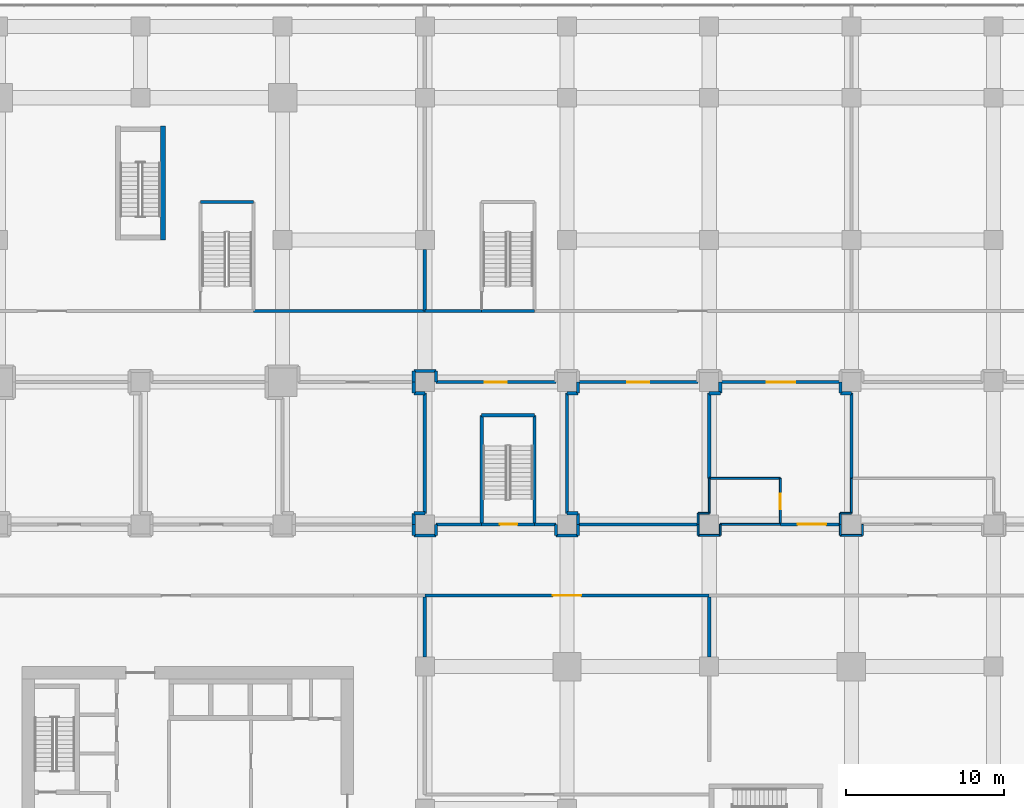
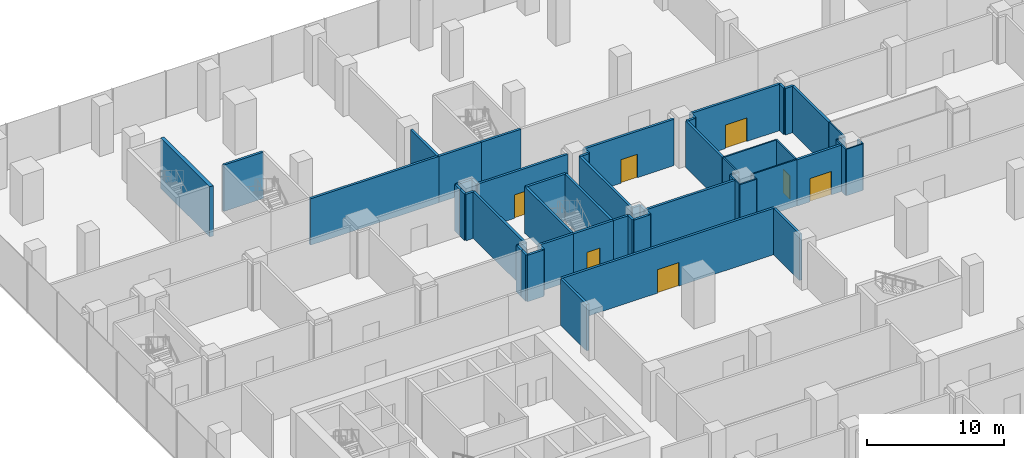
# One storey, part 32 of 43: 60 walls, 7 doors, 7 openings.
"""IFC4 building model written with IfcOpenShell, lengths in metres."""

from ifc_helpers import new_model, si_unit, direction, frame, frame_2d, origin, place, context, subcontext, project, spatial, rectangle, extrude, material, layer, layer_set, type_object, element, fill, save


model = new_model("IFC4")

# Units and contexts
model_context = context("Model", 3, precision=1e-05, world=origin(), true_north=direction((0.0, 1.0)))
body_context = subcontext(model_context, "Body", "Model", "MODEL_VIEW")
ifc_project = project(units=[si_unit("LENGTHUNIT", "METRE"), si_unit("AREAUNIT", "SQUARE_METRE"), si_unit("VOLUMEUNIT", "CUBIC_METRE"), si_unit("PLANEANGLEUNIT", "RADIAN"), si_unit("MASSUNIT", "GRAM", prefix="KILO")], contexts=[model_context])

# Site, building, storey
site_placement = place(None, origin())
site = spatial("IfcSite", under=ifc_project, at=site_placement, CompositionType="ELEMENT")
building_placement = place(site_placement, origin())
building = spatial("IfcBuilding", under=site, at=building_placement, Name="Plateau Cross Towers", CompositionType="ELEMENT")
storey_placement = place(building_placement, frame((0.0, 0.0, 17.300048828125)))
storey = spatial("IfcBuildingStorey", under=building, at=storey_placement, Name="L03", CompositionType="ELEMENT", Elevation=17.300048828125)

# Wall
ifc_material_1 = material(Name="Gypsum board on steel studs", Category="steel")
ifc_layer_1 = layer(ifc_material_1, 0.199951171875)
ifc_layer_set_1 = layer_set([ifc_layer_1], Name="Gypsum board on steel studs")
wall_type_1 = type_object("IfcWallType", Name="Podium partition 200", PredefinedType="PARTITIONING", material=ifc_layer_set_1)
wall_1_placement = place(storey_placement, frame((27.0, 44.39990234375, 0.0), z_axis=(0.0, 0.0, 1.0), x_axis=(0.0, -1.0, 0.0)))
element("IfcWall", 1, at=wall_1_placement, inside=storey, type_object=wall_type_1, Name="Partition wall", PredefinedType="PARTITIONING", context=body_context, shape_type="SweptSolid", body=[
    extrude(rectangle(XDim=3.89990234375, YDim=0.199951171875, at=frame_2d((1.949951171875, 0.0))), origin(), (0.0, 0.0, 1.0), 4.14990234375),
])

# Wall, opening, door
wall_2_placement = place(storey_placement, frame((45.0, 22.5, 0.0), z_axis=(0.0, 0.0, 1.0), x_axis=(-1.0, 0.0, 0.0)))
wall_2 = element("IfcWall", 2, at=wall_2_placement, inside=storey, type_object=wall_type_1, Name="Partition wall", PredefinedType="PARTITIONING", context=body_context, shape_type="SweptSolid", body=[
    extrude(rectangle(XDim=18.0, YDim=0.199951171875, at=frame_2d((9.0, 0.0))), origin(), (0.0, 0.0, 1.0), 4.14990234375),
])
opening_1_placement = place(wall_2_placement, frame((8.10009765625, 0.0, 0.0)))
opening_1 = element("IfcOpeningElement", 3, at=opening_1_placement, cuts=wall_2, Name="Opening 03-42", PredefinedType="OPENING", context=body_context, shape_type="SweptSolid", body=[
    extrude(rectangle(XDim=1.800048828125, YDim=2.10009765625, at=frame_2d((0.89990234375, 1.050048828125))), frame((0.0, 0.10986328125, 0.0), z_axis=(0.0, -1.0, 0.0), x_axis=(1.0, 0.0, 0.0)), (0.0, 0.0, 1.0), 0.219970703125),
])
ifc_material_2 = material(Name="Aluminium frame, toughened glass", Category="aluminium")
door_type_1 = type_object("IfcDoorType", Name="Podium door pair 1800", OperationType="NOTDEFINED", PredefinedType="DOOR", material=ifc_material_2)
door_1_placement = place(opening_1_placement, origin())
door_1 = element("IfcDoor", 4, at=door_1_placement, inside=storey, type_object=door_type_1, Name="Door 03-42", OperationType="DOUBLE_DOOR_SINGLE_SWING", OverallHeight=2.10009765625, OverallWidth=1.800048828125, PredefinedType="DOOR", context=body_context, shape_type="SweptSolid", body=[
    extrude(rectangle(XDim=1.800048828125, YDim=2.10009765625, at=frame_2d((0.89990234375, 1.050048828125))), frame((0.0, 0.02490234375, 0.0), z_axis=(0.0, -1.0, 0.0), x_axis=(1.0, 0.0, 0.0)), (0.0, 0.0, 1.0), 0.050048828125),
])
fill(opening_1, door_1)

wall_3_placement = place(storey_placement, frame((35.300048828125, 36.0, 0.0), z_axis=(0.0, 0.0, 1.0), x_axis=(-1.0, 0.0, 0.0)))
wall_3 = element("IfcWall", 5, at=wall_3_placement, inside=storey, type_object=wall_type_1, Name="Partition wall", PredefinedType="PARTITIONING", context=body_context, shape_type="SweptSolid", body=[
    extrude(rectangle(XDim=7.60009765625, YDim=0.199951171875, at=frame_2d((3.800048828125, 0.0))), origin(), (0.0, 0.0, 1.0), 4.14990234375),
])
opening_2_placement = place(wall_3_placement, frame((3.10009765625, 0.0, 0.0)))
opening_2 = element("IfcOpeningElement", 6, at=opening_2_placement, cuts=wall_3, Name="Opening 03-23", PredefinedType="OPENING", context=body_context, shape_type="SweptSolid", body=[
    extrude(rectangle(XDim=1.39990234375, YDim=2.10009765625, at=frame_2d((0.699951171875, 1.050048828125))), frame((0.0, 0.10986328125, 0.0), z_axis=(0.0, -1.0, 0.0), x_axis=(1.0, 0.0, 0.0)), (0.0, 0.0, 1.0), 0.219970703125),
])
ifc_material_3 = material(Name="Timber, hospital grade leaf", Category="wood")
door_type_2 = type_object("IfcDoorType", Name="Clinic bed access door 1400x2100", OperationType="NOTDEFINED", PredefinedType="DOOR", material=ifc_material_3)
door_2_placement = place(opening_2_placement, origin())
door_2 = element("IfcDoor", 7, at=door_2_placement, inside=storey, type_object=door_type_2, Name="Door 03-23", OperationType="SINGLE_SWING_LEFT", OverallHeight=2.10009765625, OverallWidth=1.39990234375, PredefinedType="DOOR", context=body_context, shape_type="SweptSolid", body=[
    extrude(rectangle(XDim=1.39990234375, YDim=2.10009765625, at=frame_2d((0.699951171875, 1.050048828125))), frame((0.0, 0.02490234375, 0.0), z_axis=(0.0, -1.0, 0.0), x_axis=(1.0, 0.0, 0.0)), (0.0, 0.0, 1.0), 0.050048828125),
])
fill(opening_2, door_2)

# Walls
wall_4_placement = place(storey_placement, frame((27.699951171875, 36.0, 0.0), z_axis=(0.0, 0.0, 1.0), x_axis=(0.0, 1.0, 0.0)))
element("IfcWall", 8, at=wall_4_placement, inside=storey, type_object=wall_type_1, Name="Partition wall", PredefinedType="PARTITIONING", context=body_context, shape_type="SweptSolid", body=[
    extrude(rectangle(XDim=0.699951171875, YDim=0.199951171875, at=frame_2d((0.35009765625, 0.0))), origin(), (0.0, 0.0, 1.0), 4.14990234375),
])
wall_5_placement = place(storey_placement, frame((27.699951171875, 36.699951171875, 0.0), z_axis=(0.0, 0.0, 1.0), x_axis=(-1.0, 0.0, 0.0)))
element("IfcWall", 9, at=wall_5_placement, inside=storey, type_object=wall_type_1, Name="Partition wall", PredefinedType="PARTITIONING", context=body_context, shape_type="SweptSolid", body=[
    extrude(rectangle(XDim=1.39990234375, YDim=0.199951171875, at=frame_2d((0.699951171875, 0.0))), origin(), (0.0, 0.0, 1.0), 4.14990234375),
])
wall_6_placement = place(storey_placement, frame((26.300048828125, 36.699951171875, 0.0), z_axis=(0.0, 0.0, 1.0), x_axis=(0.0, -1.0, 0.0)))
element("IfcWall", 10, at=wall_6_placement, inside=storey, type_object=wall_type_1, Name="Partition wall", PredefinedType="PARTITIONING", context=body_context, shape_type="SweptSolid", body=[
    extrude(rectangle(XDim=0.699951171875, YDim=0.199951171875, at=frame_2d((0.35009765625, 0.0))), origin(), (0.0, 0.0, 1.0), 4.14990234375),
])
wall_7_placement = place(storey_placement, frame((27.0, 22.39990234375, 0.0), z_axis=(0.0, 0.0, 1.0), x_axis=(0.0, -1.0, 0.0)))
element("IfcWall", 11, at=wall_7_placement, inside=storey, type_object=wall_type_1, Name="Partition wall", PredefinedType="PARTITIONING", context=body_context, shape_type="SweptSolid", body=[
    extrude(rectangle(XDim=3.7998046875, YDim=0.199951171875, at=frame_2d((1.89990234375, 0.0))), origin(), (0.0, 0.0, 1.0), 4.14990234375),
])
wall_8_placement = place(storey_placement, frame((16.14990234375, 40.5, 0.0), z_axis=(0.0, 0.0, 1.0), x_axis=(1.0, 0.0, 0.0)))
element("IfcWall", 12, at=wall_8_placement, inside=storey, type_object=wall_type_1, Name="Partition wall", PredefinedType="PARTITIONING", context=body_context, shape_type="SweptSolid", body=[
    extrude(rectangle(XDim=10.85009765625, YDim=0.199951171875, at=frame_2d((5.425048828125, 0.0))), origin(), (0.0, 0.0, 1.0), 4.14990234375),
])
wall_9_placement = place(storey_placement, frame((45.0, 22.39990234375, 0.0), z_axis=(0.0, 0.0, 1.0), x_axis=(0.0, -1.0, 0.0)))
element("IfcWall", 13, at=wall_9_placement, inside=storey, type_object=wall_type_1, Name="Partition wall", PredefinedType="PARTITIONING", context=body_context, shape_type="SweptSolid", body=[
    extrude(rectangle(XDim=3.7998046875, YDim=0.199951171875, at=frame_2d((1.89990234375, 0.0))), origin(), (0.0, 0.0, 1.0), 4.14990234375),
])

# Wall, opening, door
wall_10_placement = place(storey_placement, frame((44.300048828125, 36.0, 0.0), z_axis=(0.0, 0.0, 1.0), x_axis=(-1.0, 0.0, 0.0)))
wall_10 = element("IfcWall", 14, at=wall_10_placement, inside=storey, type_object=wall_type_1, Name="Partition wall", PredefinedType="PARTITIONING", context=body_context, shape_type="SweptSolid", body=[
    extrude(rectangle(XDim=7.60009765625, YDim=0.199951171875, at=frame_2d((3.800048828125, 0.0))), origin(), (0.0, 0.0, 1.0), 4.14990234375),
])
opening_3_placement = place(wall_10_placement, frame((3.10009765625, 0.0, 0.0)))
opening_3 = element("IfcOpeningElement", 15, at=opening_3_placement, cuts=wall_10, Name="Opening 03-24", PredefinedType="OPENING", context=body_context, shape_type="SweptSolid", body=[
    extrude(rectangle(XDim=1.39990234375, YDim=2.10009765625, at=frame_2d((0.699951171875, 1.050048828125))), frame((0.0, 0.10986328125, 0.0), z_axis=(0.0, -1.0, 0.0), x_axis=(1.0, 0.0, 0.0)), (0.0, 0.0, 1.0), 0.219970703125),
])
door_3_placement = place(opening_3_placement, origin())
door_3 = element("IfcDoor", 16, at=door_3_placement, inside=storey, type_object=door_type_2, Name="Door 03-24", OperationType="SINGLE_SWING_LEFT", OverallHeight=2.10009765625, OverallWidth=1.39990234375, PredefinedType="DOOR", context=body_context, shape_type="SweptSolid", body=[
    extrude(rectangle(XDim=1.39990234375, YDim=2.10009765625, at=frame_2d((0.699951171875, 1.050048828125))), frame((0.0, 0.02490234375, 0.0), z_axis=(0.0, -1.0, 0.0), x_axis=(1.0, 0.0, 0.0)), (0.0, 0.0, 1.0), 0.050048828125),
])
fill(opening_3, door_3)

# Walls
for number, where, z_axis, x_axis, name in (
    (17, (26.300048828125, 36.0, 0.0), (0.0, 0.0, 1.0), (0.0, -1.0, 0.0), "Partition wall"),
    (18, (26.300048828125, 35.300048828125, 0.0), (0.0, 0.0, 1.0), (1.0, 0.0, 0.0), "Partition wall"),
):
    element("IfcWall", number, at=place(storey_placement, frame(where, z_axis=z_axis, x_axis=x_axis)), inside=storey, type_object=wall_type_1, Name=name, PredefinedType="PARTITIONING", context=body_context, shape_type="SweptSolid", body=[
        extrude(rectangle(XDim=0.699951171875, YDim=0.199951171875, at=frame_2d((0.35009765625, 0.0))), origin(), (0.0, 0.0, 1.0), 4.14990234375),
    ])
wall_11_placement = place(storey_placement, frame((27.0, 35.300048828125, 0.0), z_axis=(0.0, 0.0, 1.0), x_axis=(0.0, -1.0, 0.0)))
element("IfcWall", 19, at=wall_11_placement, inside=storey, type_object=wall_type_1, Name="Partition wall", PredefinedType="PARTITIONING", context=body_context, shape_type="SweptSolid", body=[
    extrude(rectangle(XDim=7.60009765625, YDim=0.199951171875, at=frame_2d((3.800048828125, 0.0))), origin(), (0.0, 0.0, 1.0), 4.14990234375),
])
for number, where, z_axis, x_axis, name in (
    (20, (27.0, 27.699951171875, 0.0), (0.0, 0.0, 1.0), (-1.0, 0.0, 0.0), "Partition wall"),
    (21, (26.300048828125, 27.699951171875, 0.0), (0.0, 0.0, 1.0), (0.0, -1.0, 0.0), "Partition wall"),
    (22, (36.699951171875, 36.0, 0.0), (0.0, 0.0, 1.0), (0.0, -1.0, 0.0), "Partition wall"),
    (23, (36.699951171875, 35.300048828125, 0.0), (0.0, 0.0, 1.0), (-1.0, 0.0, 0.0), "Partition wall"),
):
    element("IfcWall", number, at=place(storey_placement, frame(where, z_axis=z_axis, x_axis=x_axis)), inside=storey, type_object=wall_type_1, Name=name, PredefinedType="PARTITIONING", context=body_context, shape_type="SweptSolid", body=[
        extrude(rectangle(XDim=0.699951171875, YDim=0.199951171875, at=frame_2d((0.35009765625, 0.0))), origin(), (0.0, 0.0, 1.0), 4.14990234375),
    ])
wall_12_placement = place(storey_placement, frame((36.0, 35.300048828125, 0.0), z_axis=(0.0, 0.0, 1.0), x_axis=(0.0, -1.0, 0.0)))
element("IfcWall", 24, at=wall_12_placement, inside=storey, type_object=wall_type_1, Name="Partition wall", PredefinedType="PARTITIONING", context=body_context, shape_type="SweptSolid", body=[
    extrude(rectangle(XDim=7.60009765625, YDim=0.199951171875, at=frame_2d((3.800048828125, 0.0))), origin(), (0.0, 0.0, 1.0), 4.14990234375),
])
for number, where, z_axis, x_axis, name in (
    (25, (36.0, 27.699951171875, 0.0), (0.0, 0.0, 1.0), (1.0, 0.0, 0.0), "Partition wall"),
    (26, (36.699951171875, 27.699951171875, 0.0), (0.0, 0.0, 1.0), (0.0, -1.0, 0.0), "Partition wall"),
):
    element("IfcWall", number, at=place(storey_placement, frame(where, z_axis=z_axis, x_axis=x_axis)), inside=storey, type_object=wall_type_1, Name=name, PredefinedType="PARTITIONING", context=body_context, shape_type="SweptSolid", body=[
        extrude(rectangle(XDim=0.699951171875, YDim=0.199951171875, at=frame_2d((0.35009765625, 0.0))), origin(), (0.0, 0.0, 1.0), 4.14990234375),
    ])

# Wall, opening, door
wall_13_placement = place(storey_placement, frame((53.300048828125, 36.0, 0.0), z_axis=(0.0, 0.0, 1.0), x_axis=(-1.0, 0.0, 0.0)))
wall_13 = element("IfcWall", 27, at=wall_13_placement, inside=storey, type_object=wall_type_1, Name="Partition wall", PredefinedType="PARTITIONING", context=body_context, shape_type="SweptSolid", body=[
    extrude(rectangle(XDim=7.60009765625, YDim=0.199951171875, at=frame_2d((3.800048828125, 0.0))), origin(), (0.0, 0.0, 1.0), 4.14990234375),
])
opening_4_placement = place(wall_13_placement, frame((2.85009765625, 0.0, 0.0)))
opening_4 = element("IfcOpeningElement", 28, at=opening_4_placement, cuts=wall_13, Name="Opening 03-45", PredefinedType="OPENING", context=body_context, shape_type="SweptSolid", body=[
    extrude(rectangle(XDim=1.800048828125, YDim=2.10009765625, at=frame_2d((0.89990234375, 1.050048828125))), frame((0.0, 0.10986328125, 0.0), z_axis=(0.0, -1.0, 0.0), x_axis=(1.0, 0.0, 0.0)), (0.0, 0.0, 1.0), 0.219970703125),
])
door_4_placement = place(opening_4_placement, origin())
door_4 = element("IfcDoor", 29, at=door_4_placement, inside=storey, type_object=door_type_1, Name="Door 03-45", OperationType="DOUBLE_DOOR_SINGLE_SWING", OverallHeight=2.10009765625, OverallWidth=1.800048828125, PredefinedType="DOOR", context=body_context, shape_type="SweptSolid", body=[
    extrude(rectangle(XDim=1.800048828125, YDim=2.10009765625, at=frame_2d((0.89990234375, 1.050048828125))), frame((0.0, 0.02490234375, 0.0), z_axis=(0.0, -1.0, 0.0), x_axis=(1.0, 0.0, 0.0)), (0.0, 0.0, 1.0), 0.050048828125),
])
fill(opening_4, door_4)

# Walls
wall_14_placement = place(storey_placement, frame((36.699951171875, 27.0, 0.0), z_axis=(0.0, 0.0, 1.0), x_axis=(1.0, 0.0, 0.0)))
element("IfcWall", 30, at=wall_14_placement, inside=storey, type_object=wall_type_1, Name="Partition wall", PredefinedType="PARTITIONING", context=body_context, shape_type="SweptSolid", body=[
    extrude(rectangle(XDim=7.60009765625, YDim=0.199951171875, at=frame_2d((3.800048828125, 0.0))), origin(), (0.0, 0.0, 1.0), 4.14990234375),
])
wall_15_placement = place(storey_placement, frame((45.0, 29.910888671875, 0.0), z_axis=(0.0, 0.0, 1.0), x_axis=(0.0, 1.0, 0.0)))
element("IfcWall", 31, at=wall_15_placement, inside=storey, type_object=wall_type_1, Name="Partition wall", PredefinedType="PARTITIONING", context=body_context, shape_type="SweptSolid", body=[
    extrude(rectangle(XDim=5.38916015625, YDim=0.199951171875, at=frame_2d((2.694580078125, 0.0))), origin(), (0.0, 0.0, 1.0), 4.14990234375),
])
for number, where, z_axis, x_axis, name in (
    (32, (45.0, 35.300048828125, 0.0), (0.0, 0.0, 1.0), (1.0, 0.0, 0.0), "Partition wall"),
    (33, (45.699951171875, 35.300048828125, 0.0), (0.0, 0.0, 1.0), (0.0, 1.0, 0.0), "Partition wall"),
    (34, (53.300048828125, 36.0, 0.0), (0.0, 0.0, 1.0), (0.0, -1.0, 0.0), "Partition wall"),
    (35, (53.300048828125, 35.300048828125, 0.0), (0.0, 0.0, 1.0), (1.0, 0.0, 0.0), "Partition wall"),
):
    element("IfcWall", number, at=place(storey_placement, frame(where, z_axis=z_axis, x_axis=x_axis)), inside=storey, type_object=wall_type_1, Name=name, PredefinedType="PARTITIONING", context=body_context, shape_type="SweptSolid", body=[
        extrude(rectangle(XDim=0.699951171875, YDim=0.199951171875, at=frame_2d((0.35009765625, 0.0))), origin(), (0.0, 0.0, 1.0), 4.14990234375),
    ])
wall_16_placement = place(storey_placement, frame((54.0, 35.300048828125, 0.0), z_axis=(0.0, 0.0, 1.0), x_axis=(0.0, -1.0, 0.0)))
element("IfcWall", 36, at=wall_16_placement, inside=storey, type_object=wall_type_1, Name="Partition wall", PredefinedType="PARTITIONING", context=body_context, shape_type="SweptSolid", body=[
    extrude(rectangle(XDim=5.38916015625, YDim=0.199951171875, at=frame_2d((2.694580078125, 0.0))), origin(), (0.0, 0.0, 1.0), 4.14990234375),
])
wall_17_placement = place(storey_placement, frame((26.300048828125, 27.0, 0.0), z_axis=(0.0, 0.0, 1.0), x_axis=(0.0, -1.0, 0.0)))
element("IfcWall", 37, at=wall_17_placement, inside=storey, type_object=wall_type_1, Name="Partition wall", PredefinedType="PARTITIONING", context=body_context, shape_type="SweptSolid", body=[
    extrude(rectangle(XDim=0.699951171875, YDim=0.199951171875, at=frame_2d((0.35009765625, 0.0))), origin(), (0.0, 0.0, 1.0), 4.14990234375),
])
wall_18_placement = place(storey_placement, frame((26.300048828125, 26.300048828125, 0.0), z_axis=(0.0, 0.0, 1.0), x_axis=(1.0, 0.0, 0.0)))
element("IfcWall", 38, at=wall_18_placement, inside=storey, type_object=wall_type_1, Name="Partition wall", PredefinedType="PARTITIONING", context=body_context, shape_type="SweptSolid", body=[
    extrude(rectangle(XDim=1.39990234375, YDim=0.199951171875, at=frame_2d((0.699951171875, 0.0))), origin(), (0.0, 0.0, 1.0), 4.14990234375),
])
wall_19_placement = place(storey_placement, frame((27.699951171875, 26.300048828125, 0.0), z_axis=(0.0, 0.0, 1.0), x_axis=(0.0, 1.0, 0.0)))
element("IfcWall", 39, at=wall_19_placement, inside=storey, type_object=wall_type_1, Name="Partition wall", PredefinedType="PARTITIONING", context=body_context, shape_type="SweptSolid", body=[
    extrude(rectangle(XDim=0.699951171875, YDim=0.199951171875, at=frame_2d((0.35009765625, 0.0))), origin(), (0.0, 0.0, 1.0), 4.14990234375),
])
wall_20_placement = place(storey_placement, frame((27.699951171875, 27.0, 0.0), z_axis=(0.0, 0.0, 1.0), x_axis=(1.0, 0.0, 0.0)))
element("IfcWall", 40, at=wall_20_placement, inside=storey, type_object=wall_type_1, Name="Partition wall", PredefinedType="PARTITIONING", context=body_context, shape_type="SweptSolid", body=[
    extrude(rectangle(XDim=2.900146484375, YDim=0.199951171875, at=frame_2d((1.4501953125, 0.0))), origin(), (0.0, 0.0, 1.0), 4.14990234375),
])
wall_21_placement = place(storey_placement, frame((33.949951171875, 27.0, 0.0), z_axis=(0.0, 0.0, 1.0), x_axis=(1.0, 0.0, 0.0)))
element("IfcWall", 41, at=wall_21_placement, inside=storey, type_object=wall_type_1, Name="Partition wall", PredefinedType="PARTITIONING", context=body_context, shape_type="SweptSolid", body=[
    extrude(rectangle(XDim=1.35009765625, YDim=0.199951171875, at=frame_2d((0.675048828125, 0.0))), origin(), (0.0, 0.0, 1.0), 4.14990234375),
])
wall_22_placement = place(storey_placement, frame((35.300048828125, 27.0, 0.0), z_axis=(0.0, 0.0, 1.0), x_axis=(0.0, -1.0, 0.0)))
element("IfcWall", 42, at=wall_22_placement, inside=storey, type_object=wall_type_1, Name="Partition wall", PredefinedType="PARTITIONING", context=body_context, shape_type="SweptSolid", body=[
    extrude(rectangle(XDim=0.699951171875, YDim=0.199951171875, at=frame_2d((0.35009765625, 0.0))), origin(), (0.0, 0.0, 1.0), 4.14990234375),
])
wall_23_placement = place(storey_placement, frame((35.300048828125, 26.300048828125, 0.0), z_axis=(0.0, 0.0, 1.0), x_axis=(1.0, 0.0, 0.0)))
element("IfcWall", 43, at=wall_23_placement, inside=storey, type_object=wall_type_1, Name="Partition wall", PredefinedType="PARTITIONING", context=body_context, shape_type="SweptSolid", body=[
    extrude(rectangle(XDim=1.39990234375, YDim=0.199951171875, at=frame_2d((0.699951171875, 0.0))), origin(), (0.0, 0.0, 1.0), 4.14990234375),
])
wall_24_placement = place(storey_placement, frame((36.699951171875, 26.300048828125, 0.0), z_axis=(0.0, 0.0, 1.0), x_axis=(0.0, 1.0, 0.0)))
element("IfcWall", 44, at=wall_24_placement, inside=storey, type_object=wall_type_1, Name="Partition wall", PredefinedType="PARTITIONING", context=body_context, shape_type="SweptSolid", body=[
    extrude(rectangle(XDim=0.699951171875, YDim=0.199951171875, at=frame_2d((0.35009765625, 0.0))), origin(), (0.0, 0.0, 1.0), 4.14990234375),
])

# Wall, opening, door
wall_25_placement = place(storey_placement, frame((49.5, 27.0, 0.0), z_axis=(0.0, 0.0, 1.0), x_axis=(1.0, 0.0, 0.0)))
wall_25 = element("IfcWall", 45, at=wall_25_placement, inside=storey, type_object=wall_type_1, Name="Partition wall", PredefinedType="PARTITIONING", context=body_context, shape_type="SweptSolid", body=[
    extrude(rectangle(XDim=3.800048828125, YDim=0.199951171875, at=frame_2d((1.89990234375, 0.0))), origin(), (0.0, 0.0, 1.0), 4.14990234375),
])
opening_5_placement = place(wall_25_placement, frame((1.10009765625, 0.0, 0.0)))
opening_5 = element("IfcOpeningElement", 46, at=opening_5_placement, cuts=wall_25, Name="Opening 03-46", PredefinedType="OPENING", context=body_context, shape_type="SweptSolid", body=[
    extrude(rectangle(XDim=1.800048828125, YDim=2.10009765625, at=frame_2d((0.89990234375, 1.050048828125))), frame((0.0, 0.10986328125, 0.0), z_axis=(0.0, -1.0, 0.0), x_axis=(1.0, 0.0, 0.0)), (0.0, 0.0, 1.0), 0.219970703125),
])
door_5_placement = place(opening_5_placement, origin())
door_5 = element("IfcDoor", 47, at=door_5_placement, inside=storey, type_object=door_type_1, Name="Door 03-46", OperationType="DOUBLE_DOOR_SINGLE_SWING", OverallHeight=2.10009765625, OverallWidth=1.800048828125, PredefinedType="DOOR", context=body_context, shape_type="SweptSolid", body=[
    extrude(rectangle(XDim=1.800048828125, YDim=2.10009765625, at=frame_2d((0.89990234375, 1.050048828125))), frame((0.0, 0.02490234375, 0.0), z_axis=(0.0, -1.0, 0.0), x_axis=(1.0, 0.0, 0.0)), (0.0, 0.0, 1.0), 0.050048828125),
])
fill(opening_5, door_5)

# Walls
wall_26_placement = place(storey_placement, frame((27.0, 40.5, 0.0), z_axis=(0.0, 0.0, 1.0), x_axis=(1.0, 0.0, 0.0)))
element("IfcWall", 48, at=wall_26_placement, inside=storey, type_object=wall_type_1, Name="Partition wall", PredefinedType="PARTITIONING", context=body_context, shape_type="SweptSolid", body=[
    extrude(rectangle(XDim=3.60009765625, YDim=0.199951171875, at=frame_2d((1.800048828125, 0.0))), origin(), (0.0, 0.0, 1.0), 4.14990234375),
])
ifc_material_4 = material(Name="Fire-rated plasterboard shaft wall system")
ifc_layer_2 = layer(ifc_material_4, 0.199951171875)
ifc_layer_set_2 = layer_set([ifc_layer_2], Name="Fire-rated plasterboard shaft wall system")
wall_type_2 = type_object("IfcWallType", Name="Podium stair shaft wall 200", PredefinedType="PARTITIONING", material=ifc_layer_set_2)
wall_27_placement = place(storey_placement, frame((12.800048828125, 47.39990234375, 0.0), z_axis=(0.0, 0.0, 1.0), x_axis=(1.0, 0.0, 0.0)))
element("IfcWall", 49, at=wall_27_placement, inside=storey, type_object=wall_type_2, Name="Partition wall", PredefinedType="PARTITIONING", context=body_context, shape_type="SweptSolid", body=[
    extrude(rectangle(XDim=3.349853515625, YDim=0.199951171875, at=frame_2d((1.6748046875, 0.0))), origin(), (0.0, 0.0, 1.0), 4.14990234375),
])
wall_28_placement = place(storey_placement, frame((30.60009765625, 27.0, 0.0), z_axis=(0.0, 0.0, 1.0), x_axis=(0.0, 1.0, 0.0)))
element("IfcWall", 50, at=wall_28_placement, inside=storey, type_object=wall_type_2, Name="Partition wall", PredefinedType="PARTITIONING", context=body_context, shape_type="SweptSolid", body=[
    extrude(rectangle(XDim=6.89990234375, YDim=0.199951171875, at=frame_2d((3.449951171875, 0.0))), origin(), (0.0, 0.0, 1.0), 4.14990234375),
])
wall_29_placement = place(storey_placement, frame((30.60009765625, 33.89990234375, 0.0), z_axis=(0.0, 0.0, 1.0), x_axis=(1.0, 0.0, 0.0)))
element("IfcWall", 51, at=wall_29_placement, inside=storey, type_object=wall_type_2, Name="Partition wall", PredefinedType="PARTITIONING", context=body_context, shape_type="SweptSolid", body=[
    extrude(rectangle(XDim=3.349853515625, YDim=0.199951171875, at=frame_2d((1.6748046875, 0.0))), origin(), (0.0, 0.0, 1.0), 4.14990234375),
])
wall_30_placement = place(storey_placement, frame((33.949951171875, 33.89990234375, 0.0), z_axis=(0.0, 0.0, 1.0), x_axis=(0.0, -1.0, 0.0)))
element("IfcWall", 52, at=wall_30_placement, inside=storey, type_object=wall_type_2, Name="Partition wall", PredefinedType="PARTITIONING", context=body_context, shape_type="SweptSolid", body=[
    extrude(rectangle(XDim=6.89990234375, YDim=0.199951171875, at=frame_2d((3.449951171875, 0.0))), origin(), (0.0, 0.0, 1.0), 4.14990234375),
])
wall_31_placement = place(storey_placement, frame((33.949951171875, 40.5, 0.0), z_axis=(0.0, 0.0, 1.0), x_axis=(-1.0, 0.0, 0.0)))
element("IfcWall", 53, at=wall_31_placement, inside=storey, type_object=wall_type_2, Name="Partition wall", PredefinedType="PARTITIONING", context=body_context, shape_type="SweptSolid", body=[
    extrude(rectangle(XDim=3.349853515625, YDim=0.199951171875, at=frame_2d((1.6748046875, 0.0))), origin(), (0.0, 0.0, 1.0), 4.14990234375),
])

# Wall, opening, door
wall_32_placement = place(storey_placement, frame((33.949951171875, 27.0, 0.0), z_axis=(0.0, 0.0, 1.0), x_axis=(-1.0, 0.0, 0.0)))
wall_32 = element("IfcWall", 54, at=wall_32_placement, inside=storey, type_object=wall_type_2, Name="Partition wall", PredefinedType="PARTITIONING", context=body_context, shape_type="SweptSolid", body=[
    extrude(rectangle(XDim=3.349853515625, YDim=0.199951171875, at=frame_2d((1.6748046875, 0.0))), origin(), (0.0, 0.0, 1.0), 4.14990234375),
])
opening_6_placement = place(wall_32_placement, frame((1.10009765625, 0.0, 0.0)))
opening_6 = element("IfcOpeningElement", 55, at=opening_6_placement, cuts=wall_32, Name="Opening 03-01", PredefinedType="OPENING", context=body_context, shape_type="SweptSolid", body=[
    extrude(rectangle(XDim=1.10009765625, YDim=2.10009765625, at=frame_2d((0.550048828125, 1.050048828125))), frame((0.0, 0.10986328125, 0.0), z_axis=(0.0, -1.0, 0.0), x_axis=(1.0, 0.0, 0.0)), (0.0, 0.0, 1.0), 0.219970703125),
])
ifc_material_5 = material(Name="Steel, fire-resisting leaf", Category="steel")
door_type_3 = type_object("IfcDoorType", Name="Podium stair door 1100", OperationType="NOTDEFINED", PredefinedType="DOOR", material=ifc_material_5)
door_6_placement = place(opening_6_placement, origin())
door_6 = element("IfcDoor", 56, at=door_6_placement, inside=storey, type_object=door_type_3, Name="Door 03-01", OperationType="SINGLE_SWING_LEFT", OverallHeight=2.10009765625, OverallWidth=1.10009765625, PredefinedType="DOOR", context=body_context, shape_type="SweptSolid", body=[
    extrude(rectangle(XDim=1.10009765625, YDim=2.10009765625, at=frame_2d((0.550048828125, 1.050048828125))), frame((0.0, 0.02490234375, 0.0), z_axis=(0.0, -1.0, 0.0), x_axis=(1.0, 0.0, 0.0)), (0.0, 0.0, 1.0), 0.050048828125),
])
fill(opening_6, door_6)

# Walls
ifc_material_6 = material(Name="Moisture-resistant board on steel studs, tiled one side", Category="steel")
ifc_layer_3 = layer(ifc_material_6, 0.1201171875)
ifc_layer_set_3 = layer_set([ifc_layer_3], Name="Moisture-resistant board on steel studs, tiled one side")
wall_type_3 = type_object("IfcWallType", Name="Sanitary partition 120", PredefinedType="PARTITIONING", material=ifc_layer_set_3)
wall_33_placement = place(storey_placement, frame((53.300048828125, 27.0, 0.0), z_axis=(0.0, 0.0, 1.0), x_axis=(0.0, -1.0, 0.0)))
element("IfcWall", 57, at=wall_33_placement, inside=storey, type_object=wall_type_3, Name="Partition wall", PredefinedType="PARTITIONING", context=body_context, shape_type="SweptSolid", body=[
    extrude(rectangle(XDim=0.699951171875, YDim=0.1201171875, at=frame_2d((0.35009765625, 0.0))), origin(), (0.0, 0.0, 1.0), 4.14990234375),
])
wall_34_placement = place(storey_placement, frame((53.300048828125, 26.300048828125, 0.0), z_axis=(0.0, 0.0, 1.0), x_axis=(1.0, 0.0, 0.0)))
element("IfcWall", 58, at=wall_34_placement, inside=storey, type_object=wall_type_3, Name="Partition wall", PredefinedType="PARTITIONING", context=body_context, shape_type="SweptSolid", body=[
    extrude(rectangle(XDim=1.39990234375, YDim=0.1201171875, at=frame_2d((0.699951171875, 0.0))), origin(), (0.0, 0.0, 1.0), 4.14990234375),
])
for number, where, z_axis, x_axis, name in (
    (59, (54.699951171875, 26.300048828125, 0.0), (0.0, 0.0, 1.0), (0.0, 1.0, 0.0), "Partition wall"),
    (60, (44.300048828125, 27.0, 0.0), (0.0, 0.0, 1.0), (0.0, -1.0, 0.0), "Partition wall"),
):
    element("IfcWall", number, at=place(storey_placement, frame(where, z_axis=z_axis, x_axis=x_axis)), inside=storey, type_object=wall_type_3, Name=name, PredefinedType="PARTITIONING", context=body_context, shape_type="SweptSolid", body=[
        extrude(rectangle(XDim=0.699951171875, YDim=0.1201171875, at=frame_2d((0.35009765625, 0.0))), origin(), (0.0, 0.0, 1.0), 4.14990234375),
    ])
wall_35_placement = place(storey_placement, frame((44.300048828125, 26.300048828125, 0.0), z_axis=(0.0, 0.0, 1.0), x_axis=(1.0, 0.0, 0.0)))
element("IfcWall", 61, at=wall_35_placement, inside=storey, type_object=wall_type_3, Name="Partition wall", PredefinedType="PARTITIONING", context=body_context, shape_type="SweptSolid", body=[
    extrude(rectangle(XDim=1.39990234375, YDim=0.1201171875, at=frame_2d((0.699951171875, 0.0))), origin(), (0.0, 0.0, 1.0), 4.14990234375),
])
wall_36_placement = place(storey_placement, frame((45.699951171875, 26.300048828125, 0.0), z_axis=(0.0, 0.0, 1.0), x_axis=(0.0, 1.0, 0.0)))
element("IfcWall", 62, at=wall_36_placement, inside=storey, type_object=wall_type_3, Name="Partition wall", PredefinedType="PARTITIONING", context=body_context, shape_type="SweptSolid", body=[
    extrude(rectangle(XDim=0.699951171875, YDim=0.1201171875, at=frame_2d((0.35009765625, 0.0))), origin(), (0.0, 0.0, 1.0), 4.14990234375),
])
wall_37_placement = place(storey_placement, frame((45.699951171875, 27.0, 0.0), z_axis=(0.0, 0.0, 1.0), x_axis=(1.0, 0.0, 0.0)))
element("IfcWall", 63, at=wall_37_placement, inside=storey, type_object=wall_type_3, Name="Partition wall", PredefinedType="PARTITIONING", context=body_context, shape_type="SweptSolid", body=[
    extrude(rectangle(XDim=3.800048828125, YDim=0.1201171875, at=frame_2d((1.89990234375, 0.0))), origin(), (0.0, 0.0, 1.0), 4.14990234375),
])
wall_38_placement = place(storey_placement, frame((49.5, 29.910888671875, 0.0), z_axis=(0.0, 0.0, 1.0), x_axis=(-1.0, 0.0, 0.0)))
element("IfcWall", 64, at=wall_38_placement, inside=storey, type_object=wall_type_3, Name="Partition wall", PredefinedType="PARTITIONING", context=body_context, shape_type="SweptSolid", body=[
    extrude(rectangle(XDim=4.5, YDim=0.1201171875, at=frame_2d((2.25, 0.0))), origin(), (0.0, 0.0, 1.0), 4.14990234375),
])
wall_39_placement = place(storey_placement, frame((54.0, 29.910888671875, 0.0), z_axis=(0.0, 0.0, 1.0), x_axis=(0.0, -1.0, 0.0)))
element("IfcWall", 65, at=wall_39_placement, inside=storey, type_object=wall_type_3, Name="Partition wall", PredefinedType="PARTITIONING", context=body_context, shape_type="SweptSolid", body=[
    extrude(rectangle(XDim=2.2109375, YDim=0.1201171875, at=frame_2d((1.10546875, 0.0))), origin(), (0.0, 0.0, 1.0), 4.14990234375),
])
for number, where, z_axis, x_axis, name in (
    (66, (54.0, 27.699951171875, 0.0), (0.0, 0.0, 1.0), (-1.0, 0.0, 0.0), "Partition wall"),
    (67, (53.300048828125, 27.699951171875, 0.0), (0.0, 0.0, 1.0), (0.0, -1.0, 0.0), "Partition wall"),
):
    element("IfcWall", number, at=place(storey_placement, frame(where, z_axis=z_axis, x_axis=x_axis)), inside=storey, type_object=wall_type_3, Name=name, PredefinedType="PARTITIONING", context=body_context, shape_type="SweptSolid", body=[
        extrude(rectangle(XDim=0.699951171875, YDim=0.1201171875, at=frame_2d((0.35009765625, 0.0))), origin(), (0.0, 0.0, 1.0), 4.14990234375),
    ])
wall_40_placement = place(storey_placement, frame((45.0, 29.910888671875, 0.0), z_axis=(0.0, 0.0, 1.0), x_axis=(0.0, -1.0, 0.0)))
element("IfcWall", 68, at=wall_40_placement, inside=storey, type_object=wall_type_3, Name="Partition wall", PredefinedType="PARTITIONING", context=body_context, shape_type="SweptSolid", body=[
    extrude(rectangle(XDim=2.2109375, YDim=0.1201171875, at=frame_2d((1.10546875, 0.0))), origin(), (0.0, 0.0, 1.0), 4.14990234375),
])
for number, where, z_axis, x_axis, name in (
    (69, (45.0, 27.699951171875, 0.0), (0.0, 0.0, 1.0), (-1.0, 0.0, 0.0), "Partition wall"),
    (70, (44.300048828125, 27.699951171875, 0.0), (0.0, 0.0, 1.0), (0.0, -1.0, 0.0), "Partition wall"),
):
    element("IfcWall", number, at=place(storey_placement, frame(where, z_axis=z_axis, x_axis=x_axis)), inside=storey, type_object=wall_type_3, Name=name, PredefinedType="PARTITIONING", context=body_context, shape_type="SweptSolid", body=[
        extrude(rectangle(XDim=0.699951171875, YDim=0.1201171875, at=frame_2d((0.35009765625, 0.0))), origin(), (0.0, 0.0, 1.0), 4.14990234375),
    ])

# Wall, opening, door
wall_41_placement = place(storey_placement, frame((49.5, 27.10009765625, 0.0), z_axis=(0.0, 0.0, 1.0), x_axis=(0.0, 1.0, 0.0)))
wall_41 = element("IfcWall", 71, at=wall_41_placement, inside=storey, type_object=wall_type_3, Name="Partition wall", PredefinedType="PARTITIONING", context=body_context, shape_type="SweptSolid", body=[
    extrude(rectangle(XDim=2.810791015625, YDim=0.1201171875, at=frame_2d((1.4052734375, 0.0))), origin(), (0.0, 0.0, 1.0), 4.14990234375),
])
opening_7_placement = place(wall_41_placement, frame((0.85009765625, 0.0, 0.0)))
opening_7 = element("IfcOpeningElement", 72, at=opening_7_placement, cuts=wall_41, Name="Opening 03-25", PredefinedType="OPENING", context=body_context, shape_type="SweptSolid", body=[
    extrude(rectangle(XDim=1.0, YDim=2.10009765625, at=frame_2d((0.5, 1.050048828125))), frame((0.0, 0.070068359375, 0.0), z_axis=(0.0, -1.0, 0.0), x_axis=(1.0, 0.0, 0.0)), (0.0, 0.0, 1.0), 0.14013671875),
])
ifc_material_7 = material(Name="Timber leaf", Category="wood")
door_type_4 = type_object("IfcDoorType", Name="Podium clinic door 1000", OperationType="NOTDEFINED", PredefinedType="DOOR", material=ifc_material_7)
door_7_placement = place(opening_7_placement, origin())
door_7 = element("IfcDoor", 73, at=door_7_placement, inside=storey, type_object=door_type_4, Name="Door 03-25", OperationType="SINGLE_SWING_LEFT", OverallHeight=2.10009765625, OverallWidth=1.0, PredefinedType="DOOR", context=body_context, shape_type="SweptSolid", body=[
    extrude(rectangle(XDim=1.0, YDim=2.10009765625, at=frame_2d((0.5, 1.050048828125))), frame((0.0, 0.02490234375, 0.0), z_axis=(0.0, -1.0, 0.0), x_axis=(1.0, 0.0, 0.0)), (0.0, 0.0, 1.0), 0.050048828125),
])
fill(opening_7, door_7)

# Wall
ifc_material_8 = material(Name="Concrete C60/75", Category="concrete")
ifc_layer_4 = layer(ifc_material_8, 0.300048828125)
ifc_layer_set_4 = layer_set([ifc_layer_4], Name="Concrete C60/75")
wall_type_4 = type_object("IfcWallType", Name="Stair tower wall 300", PredefinedType="SHEAR", material=ifc_layer_set_4)
wall_42_placement = place(storey_placement, frame((10.425048828125, 45.0, 0.0), z_axis=(0.0, 0.0, 1.0), x_axis=(0.0, 1.0, 0.0)))
element("IfcWall", 74, at=wall_42_placement, inside=storey, type_object=wall_type_4, Name="A-end-N-E@L03", PredefinedType="SHEAR", context=body_context, shape_type="SweptSolid", body=[
    extrude(rectangle(XDim=7.199951171875, YDim=0.300048828125, at=frame_2d((3.60009765625, 0.0))), origin(), (0.0, 0.0, 1.0), 4.5),
])

save(model, "model.ifc")
